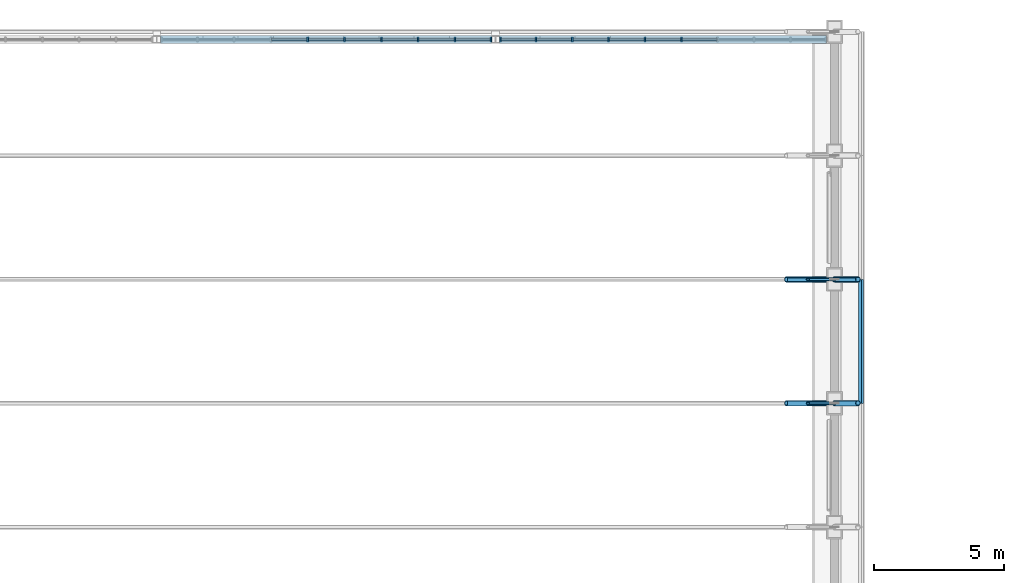
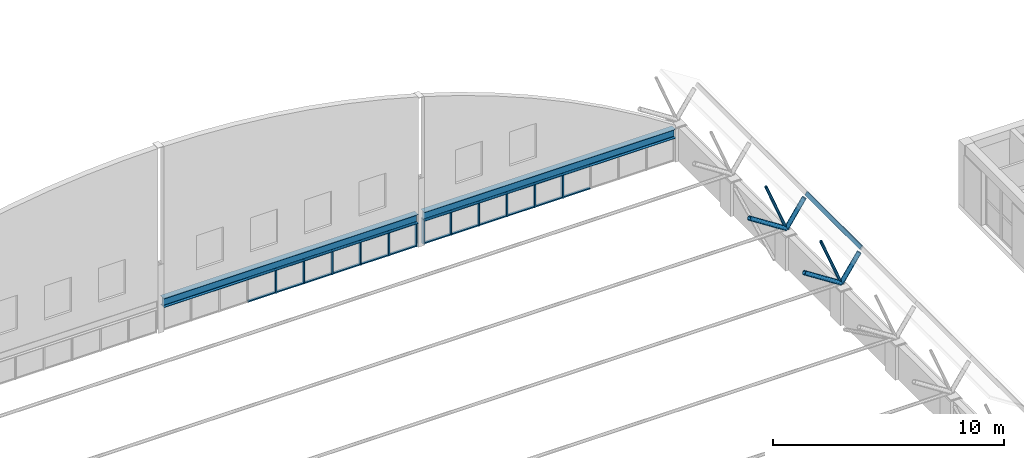
# One storey, part 20 of 65: 43 members, 2 beams, 2 elements without a shape of their own.
"""IFC4 building model written with IfcOpenShell, lengths in metres."""

from ifc_helpers import new_model, si_unit, direction, frame, origin, origin_2d, place, context, subcontext, project, spatial, rectangle, hollow_rectangle, hollow_circle, i_section, extrude, material, material_profile, profile_set, type_object, element, aggregate, save


model = new_model("IFC4")

# Units and contexts
model_context = context("Model", 3, precision=1e-05, world=origin(), true_north=direction((0.0, 1.0)))
body_context = subcontext(model_context, "Body", "Model", "MODEL_VIEW")
ifc_project = project(units=[si_unit("LENGTHUNIT", "METRE"), si_unit("AREAUNIT", "SQUARE_METRE"), si_unit("VOLUMEUNIT", "CUBIC_METRE"), si_unit("PLANEANGLEUNIT", "RADIAN"), si_unit("MASSUNIT", "GRAM", prefix="KILO")], contexts=[model_context])

# Site, building, storey
site_placement = place(None, origin())
site = spatial("IfcSite", under=ifc_project, at=site_placement, CompositionType="ELEMENT")
building_placement = place(site_placement, origin())
building = spatial("IfcBuilding", under=site, at=building_placement, Name="Elbe Cascade School", CompositionType="ELEMENT")
storey_placement = place(building_placement, frame((0.0, 0.0, 11.699951171875)))
storey = spatial("IfcBuildingStorey", under=building, at=storey_placement, Name="L03", CompositionType="ELEMENT", Elevation=11.699951171875)

# Beams
ifc_material_1 = material(Name="Steel S355J2", Category="steel")
ifc_material_profile_1 = material_profile(ifc_material_1, i_section(OverallWidth=0.300048828125, OverallDepth=0.489990234375, WebThickness=0.011962890625, FlangeThickness=0.02294921875, FilletRadius=0.027099609375, at=origin_2d()), Name="HEA 500")
ifc_profile_set_1 = profile_set([ifc_material_profile_1], Name="Steel S355J2")
beam_type = type_object("IfcBeamType", Name="Hall gable beam HEA 500", PredefinedType="BEAM", material=ifc_profile_set_1)
beam_1_placement = place(storey_placement, frame((34.14990234375, 69.199951171875, 1.505126953125), z_axis=(1.0, 0.0, 0.0), x_axis=(0.0, 1.0, 0.0)))
element("IfcBeam", 1, at=beam_1_placement, inside=storey, type_object=beam_type, Name="Gable beam N3", PredefinedType="BEAM", context=body_context, shape_type="SweptSolid", body=[
    extrude(i_section(OverallWidth=0.300048828125, OverallDepth=0.489990234375, WebThickness=0.011962890625, FlangeThickness=0.02294921875, FilletRadius=0.027099609375, at=origin_2d()), origin(), (0.0, 0.0, 1.0), 12.7001953125),
])
beam_2_placement = place(storey_placement, frame((47.14990234375, 69.199951171875, 1.505126953125), z_axis=(1.0, 0.0, 0.0), x_axis=(0.0, 1.0, 0.0)))
element("IfcBeam", 2, at=beam_2_placement, inside=storey, type_object=beam_type, Name="Gable beam N4", PredefinedType="BEAM", context=body_context, shape_type="SweptSolid", body=[
    extrude(i_section(OverallWidth=0.300048828125, OverallDepth=0.489990234375, WebThickness=0.011962890625, FlangeThickness=0.02294921875, FilletRadius=0.027099609375, at=origin_2d()), origin(), (0.0, 0.0, 1.0), 12.550048828125),
])

# Curtain wall, members
ifc_material_2 = material(Name="Glass - double glazed low-E", Category="glass")
curtain_wall_type = type_object("IfcCurtainWallType", Name="Hall gable curtain wall", PredefinedType="NOTDEFINED", material=ifc_material_2)
curtain_wall_1_placement = place(storey_placement, origin())
curtain_wall_1 = element("IfcCurtainWall", 3, at=curtain_wall_1_placement, inside=storey, type_object=curtain_wall_type, Name="Gable curtain wall N3", PredefinedType="NOTDEFINED")
ifc_material_3 = material(Name="Aluminium - bronze anodised", Category="aluminium")
ifc_material_profile_2 = material_profile(ifc_material_3, rectangle(XDim=0.159912109375, YDim=0.06005859375, at=origin_2d()), Name="Alu 60x160")
ifc_profile_set_2 = profile_set([ifc_material_profile_2], Name="Aluminium - bronze anodised")
member_type_1 = type_object("IfcMemberType", Name="Hall gable mullion 60x160", PredefinedType="MULLION", material=ifc_profile_set_2)
member_1_placement = place(storey_placement, frame((39.79443359375, 69.199951171875, 0.0), z_axis=(0.0, 0.0, 1.0), x_axis=(0.0, 1.0, 0.0)))
member_1 = element("IfcMember", 4, at=member_1_placement, type_object=member_type_1, Name="CW6 mullion 5", PredefinedType="MULLION", context=body_context, shape_type="SweptSolid", body=[
    extrude(rectangle(XDim=0.159912109375, YDim=0.06005859375, at=origin_2d()), origin(), (0.0, 0.0, 1.0), 1.260009765625),
])
member_2_placement = place(storey_placement, frame((41.20556640625, 69.199951171875, 0.0), z_axis=(0.0, 0.0, 1.0), x_axis=(0.0, 1.0, 0.0)))
member_2 = element("IfcMember", 5, at=member_2_placement, type_object=member_type_1, Name="CW6 mullion 6", PredefinedType="MULLION", context=body_context, shape_type="SweptSolid", body=[
    extrude(rectangle(XDim=0.159912109375, YDim=0.06005859375, at=origin_2d()), origin(), (0.0, 0.0, 1.0), 1.260009765625),
])
member_3_placement = place(storey_placement, frame((42.61669921875, 69.199951171875, 0.0), z_axis=(0.0, 0.0, 1.0), x_axis=(0.0, 1.0, 0.0)))
member_3 = element("IfcMember", 6, at=member_3_placement, type_object=member_type_1, Name="CW6 mullion 7", PredefinedType="MULLION", context=body_context, shape_type="SweptSolid", body=[
    extrude(rectangle(XDim=0.159912109375, YDim=0.06005859375, at=origin_2d()), origin(), (0.0, 0.0, 1.0), 1.260009765625),
])
member_4_placement = place(storey_placement, frame((44.02783203125, 69.199951171875, 0.0), z_axis=(0.0, 0.0, 1.0), x_axis=(0.0, 1.0, 0.0)))
member_4 = element("IfcMember", 7, at=member_4_placement, type_object=member_type_1, Name="CW6 mullion 8", PredefinedType="MULLION", context=body_context, shape_type="SweptSolid", body=[
    extrude(rectangle(XDim=0.159912109375, YDim=0.06005859375, at=origin_2d()), origin(), (0.0, 0.0, 1.0), 1.260009765625),
])
member_5_placement = place(storey_placement, frame((45.43896484375, 69.199951171875, 0.0), z_axis=(0.0, 0.0, 1.0), x_axis=(0.0, 1.0, 0.0)))
member_5 = element("IfcMember", 8, at=member_5_placement, type_object=member_type_1, Name="CW6 mullion 9", PredefinedType="MULLION", context=body_context, shape_type="SweptSolid", body=[
    extrude(rectangle(XDim=0.159912109375, YDim=0.06005859375, at=origin_2d()), origin(), (0.0, 0.0, 1.0), 1.260009765625),
])
member_6_placement = place(storey_placement, frame((46.820068359375, 69.199951171875, 0.0), z_axis=(0.0, 0.0, 1.0), x_axis=(0.0, 1.0, 0.0)))
member_6 = element("IfcMember", 9, at=member_6_placement, type_object=member_type_1, Name="CW6 mullion 10", PredefinedType="MULLION", context=body_context, shape_type="SweptSolid", body=[
    extrude(rectangle(XDim=0.159912109375, YDim=0.06005859375, at=origin_2d()), origin(), (0.0, 0.0, 1.0), 1.260009765625),
])

curtain_wall_2_placement = place(storey_placement, origin())
curtain_wall_2 = element("IfcCurtainWall", 10, at=curtain_wall_2_placement, inside=storey, type_object=curtain_wall_type, Name="Gable curtain wall N4", PredefinedType="NOTDEFINED")
member_7_placement = place(storey_placement, frame((47.179931640625, 69.199951171875, 0.0), z_axis=(0.0, 0.0, 1.0), x_axis=(0.0, 1.0, 0.0)))
member_7 = element("IfcMember", 11, at=member_7_placement, type_object=member_type_1, Name="CW6 mullion 1", PredefinedType="MULLION", context=body_context, shape_type="SweptSolid", body=[
    extrude(rectangle(XDim=0.159912109375, YDim=0.06005859375, at=origin_2d()), origin(), (0.0, 0.0, 1.0), 1.260009765625),
])
member_8_placement = place(storey_placement, frame((48.54443359375, 69.199951171875, 0.0), z_axis=(0.0, 0.0, 1.0), x_axis=(0.0, 1.0, 0.0)))
member_8 = element("IfcMember", 12, at=member_8_placement, type_object=member_type_1, Name="CW6 mullion 2", PredefinedType="MULLION", context=body_context, shape_type="SweptSolid", body=[
    extrude(rectangle(XDim=0.159912109375, YDim=0.06005859375, at=origin_2d()), origin(), (0.0, 0.0, 1.0), 1.260009765625),
])
member_9_placement = place(storey_placement, frame((49.93896484375, 69.199951171875, 0.0), z_axis=(0.0, 0.0, 1.0), x_axis=(0.0, 1.0, 0.0)))
member_9 = element("IfcMember", 13, at=member_9_placement, type_object=member_type_1, Name="CW6 mullion 3", PredefinedType="MULLION", context=body_context, shape_type="SweptSolid", body=[
    extrude(rectangle(XDim=0.159912109375, YDim=0.06005859375, at=origin_2d()), origin(), (0.0, 0.0, 1.0), 1.260009765625),
])
member_10_placement = place(storey_placement, frame((51.333251953125, 69.199951171875, 0.0), z_axis=(0.0, 0.0, 1.0), x_axis=(0.0, 1.0, 0.0)))
member_10 = element("IfcMember", 14, at=member_10_placement, type_object=member_type_1, Name="CW6 mullion 4", PredefinedType="MULLION", context=body_context, shape_type="SweptSolid", body=[
    extrude(rectangle(XDim=0.159912109375, YDim=0.06005859375, at=origin_2d()), origin(), (0.0, 0.0, 1.0), 1.260009765625),
])
member_11_placement = place(storey_placement, frame((52.727783203125, 69.199951171875, 0.0), z_axis=(0.0, 0.0, 1.0), x_axis=(0.0, 1.0, 0.0)))
member_11 = element("IfcMember", 15, at=member_11_placement, type_object=member_type_1, Name="CW6 mullion 5", PredefinedType="MULLION", context=body_context, shape_type="SweptSolid", body=[
    extrude(rectangle(XDim=0.159912109375, YDim=0.06005859375, at=origin_2d()), origin(), (0.0, 0.0, 1.0), 1.260009765625),
])
member_12_placement = place(storey_placement, frame((54.122314453125, 69.199951171875, 0.0), z_axis=(0.0, 0.0, 1.0), x_axis=(0.0, 1.0, 0.0)))
member_12 = element("IfcMember", 16, at=member_12_placement, type_object=member_type_1, Name="CW6 mullion 6", PredefinedType="MULLION", context=body_context, shape_type="SweptSolid", body=[
    extrude(rectangle(XDim=0.159912109375, YDim=0.06005859375, at=origin_2d()), origin(), (0.0, 0.0, 1.0), 1.260009765625),
])

# Member
ifc_material_4 = material(Name="Aluminium - bronze anodised", Category="aluminium")
ifc_material_profile_3 = material_profile(ifc_material_4, rectangle(XDim=0.1201171875, YDim=0.06005859375, at=origin_2d()), Name="Alu 60x120")
ifc_profile_set_3 = profile_set([ifc_material_profile_3], Name="Aluminium - bronze anodised")
member_type_2 = type_object("IfcMemberType", Name="Hall gable transom 60x120", PredefinedType="USERDEFINED", material=ifc_profile_set_3)
member_13_placement = place(storey_placement, frame((38.413330078125, 69.199951171875, 0.030029296875), z_axis=(1.0, 0.0, 0.0), x_axis=(0.0, 1.0, 0.0)))
member_13 = element("IfcMember", 17, at=member_13_placement, type_object=member_type_2, Name="CW6 transom 4.1", ObjectType="TRANSOM", PredefinedType="USERDEFINED", context=body_context, shape_type="SweptSolid", body=[
    extrude(rectangle(XDim=0.1201171875, YDim=0.06005859375, at=origin_2d()), origin(), (0.0, 0.0, 1.0), 1.35107421875),
])

member_14_placement = place(storey_placement, frame((38.413330078125, 69.199951171875, 1.22998046875), z_axis=(1.0, 0.0, 0.0), x_axis=(0.0, 1.0, 0.0)))
member_14 = element("IfcMember", 18, at=member_14_placement, type_object=member_type_2, Name="CW6 transom 4.2", ObjectType="TRANSOM", PredefinedType="USERDEFINED", context=body_context, shape_type="SweptSolid", body=[
    extrude(rectangle(XDim=0.1201171875, YDim=0.06005859375, at=origin_2d()), origin(), (0.0, 0.0, 1.0), 1.35107421875),
])

member_15_placement = place(storey_placement, frame((39.824462890625, 69.199951171875, 0.030029296875), z_axis=(1.0, 0.0, 0.0), x_axis=(0.0, 1.0, 0.0)))
member_15 = element("IfcMember", 19, at=member_15_placement, type_object=member_type_2, Name="CW6 transom 5.1", ObjectType="TRANSOM", PredefinedType="USERDEFINED", context=body_context, shape_type="SweptSolid", body=[
    extrude(rectangle(XDim=0.1201171875, YDim=0.06005859375, at=origin_2d()), origin(), (0.0, 0.0, 1.0), 1.35107421875),
])

member_16_placement = place(storey_placement, frame((39.824462890625, 69.199951171875, 1.22998046875), z_axis=(1.0, 0.0, 0.0), x_axis=(0.0, 1.0, 0.0)))
member_16 = element("IfcMember", 20, at=member_16_placement, type_object=member_type_2, Name="CW6 transom 5.2", ObjectType="TRANSOM", PredefinedType="USERDEFINED", context=body_context, shape_type="SweptSolid", body=[
    extrude(rectangle(XDim=0.1201171875, YDim=0.06005859375, at=origin_2d()), origin(), (0.0, 0.0, 1.0), 1.35107421875),
])

member_17_placement = place(storey_placement, frame((41.235595703125, 69.199951171875, 0.030029296875), z_axis=(1.0, 0.0, 0.0), x_axis=(0.0, 1.0, 0.0)))
member_17 = element("IfcMember", 21, at=member_17_placement, type_object=member_type_2, Name="CW6 transom 6.1", ObjectType="TRANSOM", PredefinedType="USERDEFINED", context=body_context, shape_type="SweptSolid", body=[
    extrude(rectangle(XDim=0.1201171875, YDim=0.06005859375, at=origin_2d()), origin(), (0.0, 0.0, 1.0), 1.35107421875),
])

member_18_placement = place(storey_placement, frame((41.235595703125, 69.199951171875, 1.22998046875), z_axis=(1.0, 0.0, 0.0), x_axis=(0.0, 1.0, 0.0)))
member_18 = element("IfcMember", 22, at=member_18_placement, type_object=member_type_2, Name="CW6 transom 6.2", ObjectType="TRANSOM", PredefinedType="USERDEFINED", context=body_context, shape_type="SweptSolid", body=[
    extrude(rectangle(XDim=0.1201171875, YDim=0.06005859375, at=origin_2d()), origin(), (0.0, 0.0, 1.0), 1.35107421875),
])

member_19_placement = place(storey_placement, frame((42.646728515625, 69.199951171875, 0.030029296875), z_axis=(1.0, 0.0, 0.0), x_axis=(0.0, 1.0, 0.0)))
member_19 = element("IfcMember", 23, at=member_19_placement, type_object=member_type_2, Name="CW6 transom 7.1", ObjectType="TRANSOM", PredefinedType="USERDEFINED", context=body_context, shape_type="SweptSolid", body=[
    extrude(rectangle(XDim=0.1201171875, YDim=0.06005859375, at=origin_2d()), origin(), (0.0, 0.0, 1.0), 1.35107421875),
])

member_20_placement = place(storey_placement, frame((42.646728515625, 69.199951171875, 1.22998046875), z_axis=(1.0, 0.0, 0.0), x_axis=(0.0, 1.0, 0.0)))
member_20 = element("IfcMember", 24, at=member_20_placement, type_object=member_type_2, Name="CW6 transom 7.2", ObjectType="TRANSOM", PredefinedType="USERDEFINED", context=body_context, shape_type="SweptSolid", body=[
    extrude(rectangle(XDim=0.1201171875, YDim=0.06005859375, at=origin_2d()), origin(), (0.0, 0.0, 1.0), 1.35107421875),
])

member_21_placement = place(storey_placement, frame((44.057861328125, 69.199951171875, 0.030029296875), z_axis=(1.0, 0.0, 0.0), x_axis=(0.0, 1.0, 0.0)))
member_21 = element("IfcMember", 25, at=member_21_placement, type_object=member_type_2, Name="CW6 transom 8.1", ObjectType="TRANSOM", PredefinedType="USERDEFINED", context=body_context, shape_type="SweptSolid", body=[
    extrude(rectangle(XDim=0.1201171875, YDim=0.06005859375, at=origin_2d()), origin(), (0.0, 0.0, 1.0), 1.35107421875),
])

member_22_placement = place(storey_placement, frame((44.057861328125, 69.199951171875, 1.22998046875), z_axis=(1.0, 0.0, 0.0), x_axis=(0.0, 1.0, 0.0)))
member_22 = element("IfcMember", 26, at=member_22_placement, type_object=member_type_2, Name="CW6 transom 8.2", ObjectType="TRANSOM", PredefinedType="USERDEFINED", context=body_context, shape_type="SweptSolid", body=[
    extrude(rectangle(XDim=0.1201171875, YDim=0.06005859375, at=origin_2d()), origin(), (0.0, 0.0, 1.0), 1.35107421875),
])

member_23_placement = place(storey_placement, frame((45.468994140625, 69.199951171875, 0.030029296875), z_axis=(1.0, 0.0, 0.0), x_axis=(0.0, 1.0, 0.0)))
member_23 = element("IfcMember", 27, at=member_23_placement, type_object=member_type_2, Name="CW6 transom 9.1", ObjectType="TRANSOM", PredefinedType="USERDEFINED", context=body_context, shape_type="SweptSolid", body=[
    extrude(rectangle(XDim=0.1201171875, YDim=0.06005859375, at=origin_2d()), origin(), (0.0, 0.0, 1.0), 1.321044921875),
])

member_24_placement = place(storey_placement, frame((45.468994140625, 69.199951171875, 1.22998046875), z_axis=(1.0, 0.0, 0.0), x_axis=(0.0, 1.0, 0.0)))
member_24 = element("IfcMember", 28, at=member_24_placement, type_object=member_type_2, Name="CW6 transom 9.2", ObjectType="TRANSOM", PredefinedType="USERDEFINED", context=body_context, shape_type="SweptSolid", body=[
    extrude(rectangle(XDim=0.1201171875, YDim=0.06005859375, at=origin_2d()), origin(), (0.0, 0.0, 1.0), 1.321044921875),
])

aggregate(curtain_wall_1, [member_1, member_2, member_3, member_4, member_5, member_6, member_13, member_14, member_15, member_16, member_17, member_18, member_19, member_20, member_21, member_22, member_23, member_24])

member_25_placement = place(storey_placement, frame((47.2099609375, 69.199951171875, 0.030029296875), z_axis=(1.0, 0.0, 0.0), x_axis=(0.0, 1.0, 0.0)))
member_25 = element("IfcMember", 29, at=member_25_placement, type_object=member_type_2, Name="CW6 transom 1.1", ObjectType="TRANSOM", PredefinedType="USERDEFINED", context=body_context, shape_type="SweptSolid", body=[
    extrude(rectangle(XDim=0.1201171875, YDim=0.06005859375, at=origin_2d()), origin(), (0.0, 0.0, 1.0), 1.304443359375),
])

member_26_placement = place(storey_placement, frame((47.2099609375, 69.199951171875, 1.22998046875), z_axis=(1.0, 0.0, 0.0), x_axis=(0.0, 1.0, 0.0)))
member_26 = element("IfcMember", 30, at=member_26_placement, type_object=member_type_2, Name="CW6 transom 1.2", ObjectType="TRANSOM", PredefinedType="USERDEFINED", context=body_context, shape_type="SweptSolid", body=[
    extrude(rectangle(XDim=0.1201171875, YDim=0.06005859375, at=origin_2d()), origin(), (0.0, 0.0, 1.0), 1.304443359375),
])

member_27_placement = place(storey_placement, frame((48.574462890625, 69.199951171875, 0.030029296875), z_axis=(1.0, 0.0, 0.0), x_axis=(0.0, 1.0, 0.0)))
member_27 = element("IfcMember", 31, at=member_27_placement, type_object=member_type_2, Name="CW6 transom 2.1", ObjectType="TRANSOM", PredefinedType="USERDEFINED", context=body_context, shape_type="SweptSolid", body=[
    extrude(rectangle(XDim=0.1201171875, YDim=0.06005859375, at=origin_2d()), origin(), (0.0, 0.0, 1.0), 1.33447265625),
])

member_28_placement = place(storey_placement, frame((48.574462890625, 69.199951171875, 1.22998046875), z_axis=(1.0, 0.0, 0.0), x_axis=(0.0, 1.0, 0.0)))
member_28 = element("IfcMember", 32, at=member_28_placement, type_object=member_type_2, Name="CW6 transom 2.2", ObjectType="TRANSOM", PredefinedType="USERDEFINED", context=body_context, shape_type="SweptSolid", body=[
    extrude(rectangle(XDim=0.1201171875, YDim=0.06005859375, at=origin_2d()), origin(), (0.0, 0.0, 1.0), 1.33447265625),
])

member_29_placement = place(storey_placement, frame((49.968994140625, 69.199951171875, 0.030029296875), z_axis=(1.0, 0.0, 0.0), x_axis=(0.0, 1.0, 0.0)))
member_29 = element("IfcMember", 33, at=member_29_placement, type_object=member_type_2, Name="CW6 transom 3.1", ObjectType="TRANSOM", PredefinedType="USERDEFINED", context=body_context, shape_type="SweptSolid", body=[
    extrude(rectangle(XDim=0.1201171875, YDim=0.06005859375, at=origin_2d()), origin(), (0.0, 0.0, 1.0), 1.334228515625),
])

member_30_placement = place(storey_placement, frame((49.968994140625, 69.199951171875, 1.22998046875), z_axis=(1.0, 0.0, 0.0), x_axis=(0.0, 1.0, 0.0)))
member_30 = element("IfcMember", 34, at=member_30_placement, type_object=member_type_2, Name="CW6 transom 3.2", ObjectType="TRANSOM", PredefinedType="USERDEFINED", context=body_context, shape_type="SweptSolid", body=[
    extrude(rectangle(XDim=0.1201171875, YDim=0.06005859375, at=origin_2d()), origin(), (0.0, 0.0, 1.0), 1.334228515625),
])

member_31_placement = place(storey_placement, frame((51.36328125, 69.199951171875, 0.030029296875), z_axis=(1.0, 0.0, 0.0), x_axis=(0.0, 1.0, 0.0)))
member_31 = element("IfcMember", 35, at=member_31_placement, type_object=member_type_2, Name="CW6 transom 4.1", ObjectType="TRANSOM", PredefinedType="USERDEFINED", context=body_context, shape_type="SweptSolid", body=[
    extrude(rectangle(XDim=0.1201171875, YDim=0.06005859375, at=origin_2d()), origin(), (0.0, 0.0, 1.0), 1.33447265625),
])

member_32_placement = place(storey_placement, frame((51.36328125, 69.199951171875, 1.22998046875), z_axis=(1.0, 0.0, 0.0), x_axis=(0.0, 1.0, 0.0)))
member_32 = element("IfcMember", 36, at=member_32_placement, type_object=member_type_2, Name="CW6 transom 4.2", ObjectType="TRANSOM", PredefinedType="USERDEFINED", context=body_context, shape_type="SweptSolid", body=[
    extrude(rectangle(XDim=0.1201171875, YDim=0.06005859375, at=origin_2d()), origin(), (0.0, 0.0, 1.0), 1.33447265625),
])

member_33_placement = place(storey_placement, frame((52.7578125, 69.199951171875, 0.030029296875), z_axis=(1.0, 0.0, 0.0), x_axis=(0.0, 1.0, 0.0)))
member_33 = element("IfcMember", 37, at=member_33_placement, type_object=member_type_2, Name="CW6 transom 5.1", ObjectType="TRANSOM", PredefinedType="USERDEFINED", context=body_context, shape_type="SweptSolid", body=[
    extrude(rectangle(XDim=0.1201171875, YDim=0.06005859375, at=origin_2d()), origin(), (0.0, 0.0, 1.0), 1.33447265625),
])

member_34_placement = place(storey_placement, frame((52.7578125, 69.199951171875, 1.22998046875), z_axis=(1.0, 0.0, 0.0), x_axis=(0.0, 1.0, 0.0)))
member_34 = element("IfcMember", 38, at=member_34_placement, type_object=member_type_2, Name="CW6 transom 5.2", ObjectType="TRANSOM", PredefinedType="USERDEFINED", context=body_context, shape_type="SweptSolid", body=[
    extrude(rectangle(XDim=0.1201171875, YDim=0.06005859375, at=origin_2d()), origin(), (0.0, 0.0, 1.0), 1.33447265625),
])

member_35_placement = place(storey_placement, frame((54.15234375, 69.199951171875, 0.030029296875), z_axis=(1.0, 0.0, 0.0), x_axis=(0.0, 1.0, 0.0)))
member_35 = element("IfcMember", 39, at=member_35_placement, type_object=member_type_2, Name="CW6 transom 6.1", ObjectType="TRANSOM", PredefinedType="USERDEFINED", context=body_context, shape_type="SweptSolid", body=[
    extrude(rectangle(XDim=0.1201171875, YDim=0.06005859375, at=origin_2d()), origin(), (0.0, 0.0, 1.0), 1.334228515625),
])

member_36_placement = place(storey_placement, frame((54.15234375, 69.199951171875, 1.22998046875), z_axis=(1.0, 0.0, 0.0), x_axis=(0.0, 1.0, 0.0)))
member_36 = element("IfcMember", 40, at=member_36_placement, type_object=member_type_2, Name="CW6 transom 6.2", ObjectType="TRANSOM", PredefinedType="USERDEFINED", context=body_context, shape_type="SweptSolid", body=[
    extrude(rectangle(XDim=0.1201171875, YDim=0.06005859375, at=origin_2d()), origin(), (0.0, 0.0, 1.0), 1.334228515625),
])

aggregate(curtain_wall_2, [member_7, member_8, member_9, member_10, member_11, member_12, member_25, member_26, member_27, member_28, member_29, member_30, member_31, member_32, member_33, member_34, member_35, member_36])

# Members
ifc_material_5 = material(Name="Steel S355J2H", Category="steel")
ifc_material_profile_4 = material_profile(ifc_material_5, hollow_circle(Radius=0.109619140625, WallThickness=0.012451171875, at=origin_2d()), Name="CHS 219.1x12.5")
ifc_profile_set_4 = profile_set([ifc_material_profile_4], Name="Steel S355J2H")
member_type_3 = type_object("IfcMemberType", Name="Hall rib bottom chord CHS 219.1x12.5", PredefinedType="CHORD", material=ifc_profile_set_4)
for number, where, z_axis, x_axis, name in (
    (41, (58.142822265625, 55.25, 3.090576171875), (0.840233339688, 0.0, -0.542224985478), (0.0, 1.0, 0.0), "Hall rib bottom chord CHS 219.1x12.5 M3"),
    (42, (58.142822265625, 60.0, 3.090576171875), (0.840233339688, 0.0, -0.542224985478), (0.0, 1.0, 0.0), "Hall rib bottom chord CHS 219.1x12.5 M3"),
):
    element("IfcMember", number, at=place(storey_placement, frame(where, z_axis=z_axis, x_axis=x_axis)), inside=storey, type_object=member_type_3, Name=name, PredefinedType="CHORD", context=body_context, shape_type="SweptSolid", body=[
        extrude(hollow_circle(Radius=0.109619140625, WallThickness=0.012451171875, at=origin_2d()), origin(), (0.0, 0.0, 1.0), 2.210205078125),
    ])
ifc_material_6 = material(Name="Steel S355J2H", Category="steel")
ifc_material_profile_5 = material_profile(ifc_material_6, hollow_circle(Radius=0.109619140625, WallThickness=0.012451171875, at=origin_2d()), Name="CHS 219.1x12.5")
ifc_profile_set_5 = profile_set([ifc_material_profile_5], Name="Steel S355J2H")
member_type_4 = type_object("IfcMemberType", Name="Hall rib end post CHS 219.1x12.5", PredefinedType="POST", material=ifc_profile_set_5)
for number, where, z_axis, x_axis, name in (
    (43, (60.0, 55.25, 1.89208984375), (0.562143062018, 0.0, 0.827040009809), (0.0, 1.0, 0.0), "Hall rib end post CHS 219.1x12.5 M5"),
    (44, (60.0, 60.0, 1.89208984375), (0.562143062018, 0.0, 0.827040009809), (0.0, 1.0, 0.0), "Hall rib end post CHS 219.1x12.5 M5"),
):
    element("IfcMember", number, at=place(storey_placement, frame(where, z_axis=z_axis, x_axis=x_axis)), inside=storey, type_object=member_type_4, Name=name, PredefinedType="POST", context=body_context, shape_type="SweptSolid", body=[
        extrude(hollow_circle(Radius=0.109619140625, WallThickness=0.012451171875, at=origin_2d()), origin(), (0.0, 0.0, 1.0), 1.599853515625),
    ])
ifc_material_7 = material(Name="Steel S355J2H", Category="steel")
ifc_material_profile_6 = material_profile(ifc_material_7, hollow_circle(Radius=0.06982421875, WallThickness=0.008056640625, at=origin_2d()), Name="CHS 139.7x8")
ifc_profile_set_6 = profile_set([ifc_material_profile_6], Name="Steel S355J2H")
member_type_5 = type_object("IfcMemberType", Name="Hall rib web CHS 139.7x8", PredefinedType="BRACE", material=ifc_profile_set_6)
for number, where, z_axis, x_axis, name in (
    (45, (58.97802734375, 55.25, 4.455322265625), (0.370353160415, 0.0, -0.928891025132), (0.0, 1.0, 0.0), "Hall rib web CHS 139.7x8 M4"),
    (46, (58.97802734375, 60.0, 4.455322265625), (0.370353160415, 0.0, -0.928891025132), (0.0, 1.0, 0.0), "Hall rib web CHS 139.7x8 M4"),
):
    element("IfcMember", number, at=place(storey_placement, frame(where, z_axis=z_axis, x_axis=x_axis)), inside=storey, type_object=member_type_5, Name=name, PredefinedType="BRACE", context=body_context, shape_type="SweptSolid", body=[
        extrude(hollow_circle(Radius=0.06982421875, WallThickness=0.008056640625, at=origin_2d()), origin(), (0.0, 0.0, 1.0), 2.759521484375),
    ])
ifc_material_8 = material(Name="Steel S355J2H", Category="steel")
ifc_material_profile_7 = material_profile(ifc_material_8, hollow_rectangle(XDim=0.10009765625, YDim=0.199951171875, WallThickness=0.008056640625, InnerFilletRadius=0.008056640625, OuterFilletRadius=0.011962890625, at=origin_2d()), Name="RHS 200x100x8")
ifc_profile_set_7 = profile_set([ifc_material_profile_7], Name="Steel S355J2H")
member_type_6 = type_object("IfcMemberType", Name="Hall roof purlin RHS 200x100x8", PredefinedType="PURLIN", material=ifc_profile_set_7)
member_37_placement = place(storey_placement, frame((61.015625, 55.25, 3.38623046875), z_axis=(0.0, 1.0, 0.0), x_axis=(-0.827027027028, 0.0, 0.562162162161)))
element("IfcMember", 47, at=member_37_placement, inside=storey, type_object=member_type_6, Name="Hall roof purlin RHS 200x100x8 M8", PredefinedType="PURLIN", context=body_context, shape_type="SweptSolid", body=[
    extrude(hollow_rectangle(XDim=0.10009765625, YDim=0.199951171875, WallThickness=0.008056640625, InnerFilletRadius=0.008056640625, OuterFilletRadius=0.011962890625, at=origin_2d()), origin(), (0.0, 0.0, 1.0), 4.75),
])

save(model, "model.ifc")
